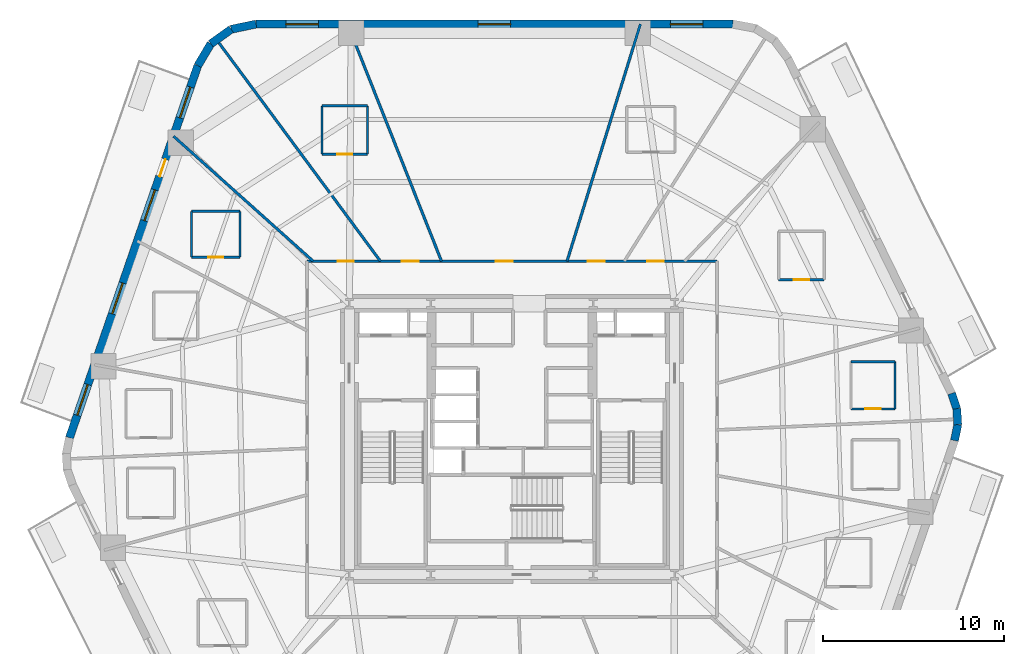
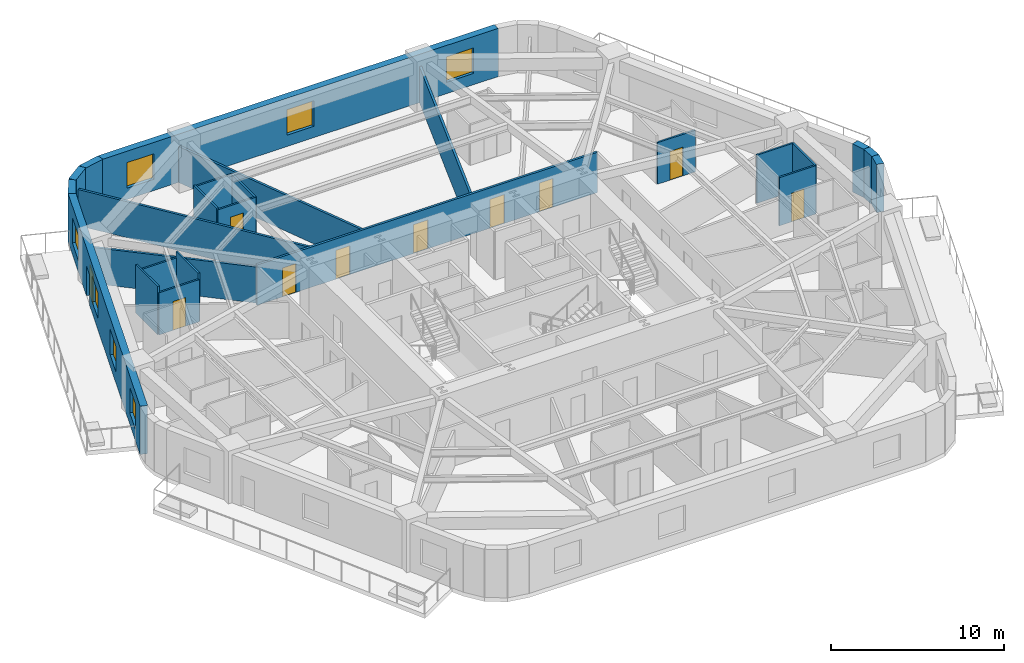
# One storey, part 6 of 10: 25 walls, 10 doors, 7 windows, 17 openings.
"""IFC4 building model written with IfcOpenShell, lengths in metres."""

from ifc_helpers import new_model, si_unit, direction, frame, frame_2d, origin, place, context, subcontext, project, spatial, rectangle, extrude, material, layer, layer_set, type_object, element, fill, save


model = new_model("IFC4")

# Units and contexts
model_context = context("Model", 3, precision=1e-05, world=origin(), true_north=direction((0.0, 1.0)))
body_context = subcontext(model_context, "Body", "Model", "MODEL_VIEW")
ifc_project = project(units=[si_unit("LENGTHUNIT", "METRE"), si_unit("AREAUNIT", "SQUARE_METRE"), si_unit("VOLUMEUNIT", "CUBIC_METRE"), si_unit("PLANEANGLEUNIT", "RADIAN"), si_unit("MASSUNIT", "GRAM", prefix="KILO")], contexts=[model_context])

# Site, building, storey
site_placement = place(None, origin())
site = spatial("IfcSite", under=ifc_project, at=site_placement, CompositionType="ELEMENT")
building_placement = place(site_placement, origin())
building = spatial("IfcBuilding", under=site, at=building_placement, Name="Kilnhurst Terrace Hotel", CompositionType="ELEMENT")
storey_placement = place(building_placement, frame((0.0, 0.0, 45.300048828125)))
storey = spatial("IfcBuildingStorey", under=building, at=storey_placement, Name="L09", CompositionType="ELEMENT", Elevation=45.300048828125)

# Walls
ifc_material_1 = material(Name="Precast concrete C40/50", Category="concrete")
ifc_layer_1 = layer(ifc_material_1, 0.449951171875, Name="Precast concrete C40/50")
ifc_layer_set_1 = layer_set([ifc_layer_1], Name="Precast concrete C40/50")
wall_type_1 = type_object("IfcWallType", Name="WL-BRK-450", PredefinedType="SOLIDWALL", material=ifc_layer_set_1)
wall_1_placement = place(storey_placement, frame((24.49560546875, -0.07666015625, 0.0), z_axis=(0.0, 0.0, 1.0), x_axis=(0.199570594521, 0.979883451132, 0.0)))
element("IfcWall", 1, at=wall_1_placement, inside=storey, type_object=wall_type_1, Name="L09 Rounded Corner Brick Wall C3.1", PredefinedType="SOLIDWALL", context=body_context, shape_type="SweptSolid", body=[
    extrude(rectangle(XDim=0.896728515625, YDim=0.449951171875, at=frame_2d((0.4482421875, 0.0))), origin(), (0.0, 0.0, 1.0), 3.39990234375),
])
wall_2_placement = place(storey_placement, frame((24.674560546875, 0.802001953125, 0.0), z_axis=(0.0, 0.0, 1.0), x_axis=(-0.061188874166, 0.998126205286, 0.0)))
element("IfcWall", 2, at=wall_2_placement, inside=storey, type_object=wall_type_1, Name="L09 Rounded Corner Brick Wall C3.2", PredefinedType="SOLIDWALL", context=body_context, shape_type="SweptSolid", body=[
    extrude(rectangle(XDim=0.8818359375, YDim=0.449951171875, at=frame_2d((0.44091796875, 0.0))), origin(), (0.0, 0.0, 1.0), 3.39990234375),
])
wall_3_placement = place(storey_placement, frame((24.62060546875, 1.68212890625, 0.0), z_axis=(0.0, 0.0, 1.0), x_axis=(-0.317697451681, 0.948192137278, 0.0)))
element("IfcWall", 3, at=wall_3_placement, inside=storey, type_object=wall_type_1, Name="L09 Rounded Corner Brick Wall C3.3", PredefinedType="SOLIDWALL", context=body_context, shape_type="SweptSolid", body=[
    extrude(rectangle(XDim=0.896728515625, YDim=0.449951171875, at=frame_2d((0.4482421875, 0.0))), origin(), (0.0, 0.0, 1.0), 3.39990234375),
])
wall_4_placement = place(storey_placement, frame((-14.168212890625, 22.97509765625, 0.0), z_axis=(0.0, 0.0, 1.0), x_axis=(-0.978770371074, -0.204959900243, 0.0)))
element("IfcWall", 4, at=wall_4_placement, inside=storey, type_object=wall_type_1, Name="L09 Rounded Corner Brick Wall C5.1", PredefinedType="SOLIDWALL", context=body_context, shape_type="SweptSolid", body=[
    extrude(rectangle(XDim=1.405517578125, YDim=0.449951171875, at=frame_2d((0.70263671875, 0.0))), origin(), (0.0, 0.0, 1.0), 3.39990234375),
])
wall_5_placement = place(storey_placement, frame((-15.5439453125, 22.68701171875, 0.0), z_axis=(0.0, 0.0, 1.0), x_axis=(-0.814210854316, -0.580569276412, 0.0)))
element("IfcWall", 5, at=wall_5_placement, inside=storey, type_object=wall_type_1, Name="L09 Rounded Corner Brick Wall C5.2", PredefinedType="SOLIDWALL", context=body_context, shape_type="SweptSolid", body=[
    extrude(rectangle(XDim=1.38134765625, YDim=0.449951171875, at=frame_2d((0.690673828125, 0.0))), origin(), (0.0, 0.0, 1.0), 3.39990234375),
])
wall_6_placement = place(storey_placement, frame((-16.668701171875, 21.885009765625, 0.0), z_axis=(0.0, 0.0, 1.0), x_axis=(-0.512936712947, -0.858426425799, 0.0)))
element("IfcWall", 6, at=wall_6_placement, inside=storey, type_object=wall_type_1, Name="L09 Rounded Corner Brick Wall C5.3", PredefinedType="SOLIDWALL", context=body_context, shape_type="SweptSolid", body=[
    extrude(rectangle(XDim=1.405517578125, YDim=0.449951171875, at=frame_2d((0.70263671875, 0.0))), origin(), (0.0, 0.0, 1.0), 3.39990234375),
])

# Wall, openings, windows
wall_7_placement = place(storey_placement, frame((12.220947265625, 22.97509765625, 0.0), z_axis=(0.0, 0.0, 1.0), x_axis=(-1.0, 0.0, 0.0)))
wall_7 = element("IfcWall", 7, at=wall_7_placement, inside=storey, type_object=wall_type_1, Name="L09 Exterior Brick Facade Wall F4", PredefinedType="SOLIDWALL", context=body_context, shape_type="SweptSolid", body=[
    extrude(rectangle(XDim=26.38916015625, YDim=0.449951171875, at=frame_2d((13.194580078125, 0.0))), origin(), (0.0, 0.0, 1.0), 3.39990234375),
])
opening_1_placement = place(wall_7_placement, frame((1.653076171875, 0.0, 0.800048828125)))
opening_1 = element("IfcOpeningElement", 8, at=opening_1_placement, cuts=wall_7, Name="Opening W-01", PredefinedType="OPENING", context=body_context, shape_type="SweptSolid", body=[
    extrude(rectangle(XDim=1.800048828125, YDim=1.800048828125, at=frame_2d((0.89990234375, 0.89990234375))), frame((0.0, 0.23486328125, 0.0), z_axis=(0.0, -1.0, 0.0), x_axis=(1.0, 0.0, 0.0)), (0.0, 0.0, 1.0), 0.469970703125),
])
opening_2_placement = place(wall_7_placement, frame((12.2958984375, 0.0, 0.800048828125)))
opening_2 = element("IfcOpeningElement", 9, at=opening_2_placement, cuts=wall_7, Name="Opening W-01", PredefinedType="OPENING", context=body_context, shape_type="SweptSolid", body=[
    extrude(rectangle(XDim=1.800048828125, YDim=1.800048828125, at=frame_2d((0.89990234375, 0.89990234375))), frame((0.0, 0.23486328125, 0.0), z_axis=(0.0, -1.0, 0.0), x_axis=(1.0, 0.0, 0.0)), (0.0, 0.0, 1.0), 0.469970703125),
])
opening_3_placement = place(wall_7_placement, frame((22.93798828125, 0.0, 0.800048828125)))
opening_3 = element("IfcOpeningElement", 10, at=opening_3_placement, cuts=wall_7, Name="Opening W-01", PredefinedType="OPENING", context=body_context, shape_type="SweptSolid", body=[
    extrude(rectangle(XDim=1.800048828125, YDim=1.800048828125, at=frame_2d((0.89990234375, 0.89990234375))), frame((0.0, 0.23486328125, 0.0), z_axis=(0.0, -1.0, 0.0), x_axis=(1.0, 0.0, 0.0)), (0.0, 0.0, 1.0), 0.469970703125),
])
ifc_material_2 = material(Name="Thermally Broken Bronze Aluminium Alloy 6063-T6 and Low-E Glass", Category="aluminium")
window_type = type_object("IfcWindowType", Name="WIN-1800X1800", PartitioningType="SINGLE_PANEL", PredefinedType="WINDOW", material=ifc_material_2)
window_1_placement = place(opening_1_placement, origin())
window_1 = element("IfcWindow", 11, at=window_1_placement, inside=storey, type_object=window_type, Name="L09 Deep-Set Masonry Window F4.1", OverallHeight=1.800048828125, OverallWidth=1.800048828125, PartitioningType="SINGLE_PANEL", PredefinedType="WINDOW", context=body_context, shape_type="SweptSolid", body=[
    extrude(rectangle(XDim=1.800048828125, YDim=1.800048828125, at=frame_2d((0.89990234375, 0.89990234375))), frame((0.0, 0.030029296875, 0.0), z_axis=(0.0, -1.0, 0.0), x_axis=(1.0, 0.0, 0.0)), (0.0, 0.0, 1.0), 0.06005859375),
])
fill(opening_1, window_1)
window_2_placement = place(opening_2_placement, origin())
window_2 = element("IfcWindow", 12, at=window_2_placement, inside=storey, type_object=window_type, Name="L09 Deep-Set Masonry Window F4.2", OverallHeight=1.800048828125, OverallWidth=1.800048828125, PartitioningType="SINGLE_PANEL", PredefinedType="WINDOW", context=body_context, shape_type="SweptSolid", body=[
    extrude(rectangle(XDim=1.800048828125, YDim=1.800048828125, at=frame_2d((0.89990234375, 0.89990234375))), frame((0.0, 0.030029296875, 0.0), z_axis=(0.0, -1.0, 0.0), x_axis=(1.0, 0.0, 0.0)), (0.0, 0.0, 1.0), 0.06005859375),
])
fill(opening_2, window_2)
window_3_placement = place(opening_3_placement, origin())
window_3 = element("IfcWindow", 13, at=window_3_placement, inside=storey, type_object=window_type, Name="L09 Deep-Set Masonry Window F4.3", OverallHeight=1.800048828125, OverallWidth=1.800048828125, PartitioningType="SINGLE_PANEL", PredefinedType="WINDOW", context=body_context, shape_type="SweptSolid", body=[
    extrude(rectangle(XDim=1.800048828125, YDim=1.800048828125, at=frame_2d((0.89990234375, 0.89990234375))), frame((0.0, 0.030029296875, 0.0), z_axis=(0.0, -1.0, 0.0), x_axis=(1.0, 0.0, 0.0)), (0.0, 0.0, 1.0), 0.06005859375),
])
fill(opening_3, window_3)

# Wall, openings, door, windows
wall_8_placement = place(storey_placement, frame((-17.3896484375, 20.678466796875, 0.0), z_axis=(0.0, 0.0, 1.0), x_axis=(-0.326068018294, -0.945346310854, 0.0)))
wall_8 = element("IfcWall", 14, at=wall_8_placement, inside=storey, type_object=wall_type_1, Name="L09 Exterior Brick Facade Wall F5", PredefinedType="SOLIDWALL", context=body_context, shape_type="SweptSolid", body=[
    extrude(rectangle(XDim=21.79296875, YDim=0.449951171875, at=frame_2d((10.896484375, 0.0))), origin(), (0.0, 0.0, 1.0), 3.39990234375),
])
opening_4_placement = place(wall_8_placement, frame((5.492919921875, 0.0, 0.0)))
opening_4 = element("IfcOpeningElement", 15, at=opening_4_placement, cuts=wall_8, Name="Opening BD-1000", PredefinedType="OPENING", context=body_context, shape_type="SweptSolid", body=[
    extrude(rectangle(XDim=1.0, YDim=2.14990234375, at=frame_2d((0.5, 1.074951171875))), frame((0.0, 0.23486328125, 0.0), z_axis=(0.0, -1.0, 0.0), x_axis=(1.0, 0.0, 0.0)), (0.0, 0.0, 1.0), 0.469970703125),
])
opening_5_placement = place(wall_8_placement, frame((1.260009765625, 0.0, 0.800048828125)))
opening_5 = element("IfcOpeningElement", 16, at=opening_5_placement, cuts=wall_8, Name="Opening W-01", PredefinedType="OPENING", context=body_context, shape_type="SweptSolid", body=[
    extrude(rectangle(XDim=1.800048828125, YDim=1.800048828125, at=frame_2d((0.89990234375, 0.89990234375))), frame((0.0, 0.23486328125, 0.0), z_axis=(0.0, -1.0, 0.0), x_axis=(1.0, 0.0, 0.0)), (0.0, 0.0, 1.0), 0.469970703125),
])
opening_6_placement = place(wall_8_placement, frame((7.282958984375, 0.0, 0.800048828125)))
opening_6 = element("IfcOpeningElement", 17, at=opening_6_placement, cuts=wall_8, Name="Opening W-01", PredefinedType="OPENING", context=body_context, shape_type="SweptSolid", body=[
    extrude(rectangle(XDim=1.800048828125, YDim=1.800048828125, at=frame_2d((0.89990234375, 0.89990234375))), frame((0.0, 0.23486328125, 0.0), z_axis=(0.0, -1.0, 0.0), x_axis=(1.0, 0.0, 0.0)), (0.0, 0.0, 1.0), 0.469970703125),
])
opening_7_placement = place(wall_8_placement, frame((12.736083984375, 0.0, 0.800048828125)))
opening_7 = element("IfcOpeningElement", 18, at=opening_7_placement, cuts=wall_8, Name="Opening W-01", PredefinedType="OPENING", context=body_context, shape_type="SweptSolid", body=[
    extrude(rectangle(XDim=1.800048828125, YDim=1.800048828125, at=frame_2d((0.89990234375, 0.89990234375))), frame((0.0, 0.23486328125, 0.0), z_axis=(0.0, -1.0, 0.0), x_axis=(1.0, 0.0, 0.0)), (0.0, 0.0, 1.0), 0.469970703125),
])
opening_8_placement = place(wall_8_placement, frame((18.679931640625, 0.0, 0.800048828125)))
opening_8 = element("IfcOpeningElement", 19, at=opening_8_placement, cuts=wall_8, Name="Opening W-01", PredefinedType="OPENING", context=body_context, shape_type="SweptSolid", body=[
    extrude(rectangle(XDim=1.800048828125, YDim=1.800048828125, at=frame_2d((0.89990234375, 0.89990234375))), frame((0.0, 0.23486328125, 0.0), z_axis=(0.0, -1.0, 0.0), x_axis=(1.0, 0.0, 0.0)), (0.0, 0.0, 1.0), 0.469970703125),
])
ifc_material_3 = material(Name="Thermally Broken Bronze Aluminium Alloy 6063-T6 and Laminated Glass", Category="aluminium")
door_type_1 = type_object("IfcDoorType", Name="DR-EXT-BAL-1000", OperationType="NOTDEFINED", PredefinedType="DOOR", material=ifc_material_3)
door_1_placement = place(opening_4_placement, origin())
door_1 = element("IfcDoor", 20, at=door_1_placement, inside=storey, type_object=door_type_1, Name="L09 Planted Balcony Door BAL-L2A", OperationType="SINGLE_SWING_LEFT", OverallHeight=2.14990234375, OverallWidth=1.0, PredefinedType="DOOR", context=body_context, shape_type="SweptSolid", body=[
    extrude(rectangle(XDim=1.0, YDim=2.14990234375, at=frame_2d((0.5, 1.074951171875))), frame((0.0, 0.02490234375, 0.0), z_axis=(0.0, -1.0, 0.0), x_axis=(1.0, 0.0, 0.0)), (0.0, 0.0, 1.0), 0.050048828125),
])
fill(opening_4, door_1)
window_4_placement = place(opening_5_placement, origin())
window_4 = element("IfcWindow", 21, at=window_4_placement, inside=storey, type_object=window_type, Name="L09 Deep-Set Masonry Window F5.1", OverallHeight=1.800048828125, OverallWidth=1.800048828125, PartitioningType="SINGLE_PANEL", PredefinedType="WINDOW", context=body_context, shape_type="SweptSolid", body=[
    extrude(rectangle(XDim=1.800048828125, YDim=1.800048828125, at=frame_2d((0.89990234375, 0.89990234375))), frame((0.0, 0.030029296875, 0.0), z_axis=(0.0, -1.0, 0.0), x_axis=(1.0, 0.0, 0.0)), (0.0, 0.0, 1.0), 0.06005859375),
])
fill(opening_5, window_4)
window_5_placement = place(opening_6_placement, origin())
window_5 = element("IfcWindow", 22, at=window_5_placement, inside=storey, type_object=window_type, Name="L09 Deep-Set Masonry Window F5.2", OverallHeight=1.800048828125, OverallWidth=1.800048828125, PartitioningType="SINGLE_PANEL", PredefinedType="WINDOW", context=body_context, shape_type="SweptSolid", body=[
    extrude(rectangle(XDim=1.800048828125, YDim=1.800048828125, at=frame_2d((0.89990234375, 0.89990234375))), frame((0.0, 0.030029296875, 0.0), z_axis=(0.0, -1.0, 0.0), x_axis=(1.0, 0.0, 0.0)), (0.0, 0.0, 1.0), 0.06005859375),
])
fill(opening_6, window_5)
window_6_placement = place(opening_7_placement, origin())
window_6 = element("IfcWindow", 23, at=window_6_placement, inside=storey, type_object=window_type, Name="L09 Deep-Set Masonry Window F5.3", OverallHeight=1.800048828125, OverallWidth=1.800048828125, PartitioningType="SINGLE_PANEL", PredefinedType="WINDOW", context=body_context, shape_type="SweptSolid", body=[
    extrude(rectangle(XDim=1.800048828125, YDim=1.800048828125, at=frame_2d((0.89990234375, 0.89990234375))), frame((0.0, 0.030029296875, 0.0), z_axis=(0.0, -1.0, 0.0), x_axis=(1.0, 0.0, 0.0)), (0.0, 0.0, 1.0), 0.06005859375),
])
fill(opening_7, window_6)
window_7_placement = place(opening_8_placement, origin())
window_7 = element("IfcWindow", 24, at=window_7_placement, inside=storey, type_object=window_type, Name="L09 Deep-Set Masonry Window F5.4", OverallHeight=1.800048828125, OverallWidth=1.800048828125, PartitioningType="SINGLE_PANEL", PredefinedType="WINDOW", context=body_context, shape_type="SweptSolid", body=[
    extrude(rectangle(XDim=1.800048828125, YDim=1.800048828125, at=frame_2d((0.89990234375, 0.89990234375))), frame((0.0, 0.030029296875, 0.0), z_axis=(0.0, -1.0, 0.0), x_axis=(1.0, 0.0, 0.0)), (0.0, 0.0, 1.0), 0.06005859375),
])
fill(opening_8, window_7)

# Wall, openings, doors
ifc_material_4 = material(Name="Acoustic Double-Gypsum Corridor Partition Assembly")
ifc_layer_2 = layer(ifc_material_4, 0.14990234375, Name="Acoustic Double-Gypsum Corridor Partition Assembly")
ifc_layer_set_2 = layer_set([ifc_layer_2], Name="Acoustic Double-Gypsum Corridor Partition Assembly")
wall_type_2 = type_object("IfcWallType", Name="WL-COR-150", PredefinedType="PARTITIONING", material=ifc_layer_set_2)
wall_9_placement = place(storey_placement, frame((-11.35009765625, 9.85009765625, 0.0), z_axis=(0.0, 0.0, 1.0), x_axis=(1.0, 0.0, 0.0)))
wall_9 = element("IfcWall", 25, at=wall_9_placement, inside=storey, type_object=wall_type_2, Name="L09 Interior Wall WL-L09-COR-02", PredefinedType="PARTITIONING", context=body_context, shape_type="SweptSolid", body=[
    extrude(rectangle(XDim=22.7001953125, YDim=0.14990234375, at=frame_2d((11.35009765625, 0.0))), origin(), (0.0, 0.0, 1.0), 2.83984375),
])
opening_9_placement = place(wall_9_placement, frame((18.8369140625, 0.0, 0.0)))
opening_9 = element("IfcOpeningElement", 26, at=opening_9_placement, cuts=wall_9, Name="Opening D-60C", PredefinedType="OPENING", context=body_context, shape_type="SweptSolid", body=[
    extrude(rectangle(XDim=0.89990234375, YDim=2.030029296875, at=frame_2d((0.449951171875, 1.01513671875))), frame((0.0, 0.0849609375, 0.0), z_axis=(0.0, -1.0, 0.0), x_axis=(1.0, 0.0, 0.0)), (0.0, 0.0, 1.0), 0.169921875),
])
opening_10_placement = place(wall_9_placement, frame((15.531982421875, 0.0, 0.0)))
opening_10 = element("IfcOpeningElement", 27, at=opening_10_placement, cuts=wall_9, Name="Opening D-60B", PredefinedType="OPENING", context=body_context, shape_type="SweptSolid", body=[
    extrude(rectangle(XDim=0.949951171875, YDim=2.030029296875, at=frame_2d((0.47509765625, 1.01513671875))), frame((0.0, 0.0849609375, 0.0), z_axis=(0.0, -1.0, 0.0), x_axis=(1.0, 0.0, 0.0)), (0.0, 0.0, 1.0), 0.169921875),
])
opening_11_placement = place(wall_9_placement, frame((10.444091796875, 0.0, 0.0)))
opening_11 = element("IfcOpeningElement", 28, at=opening_11_placement, cuts=wall_9, Name="Opening D-60B", PredefinedType="OPENING", context=body_context, shape_type="SweptSolid", body=[
    extrude(rectangle(XDim=0.949951171875, YDim=2.030029296875, at=frame_2d((0.47509765625, 1.01513671875))), frame((0.0, 0.0849609375, 0.0), z_axis=(0.0, -1.0, 0.0), x_axis=(1.0, 0.0, 0.0)), (0.0, 0.0, 1.0), 0.169921875),
])
opening_12_placement = place(wall_9_placement, frame((5.251953125, 0.0, 0.0)))
opening_12 = element("IfcOpeningElement", 29, at=opening_12_placement, cuts=wall_9, Name="Opening D-60B", PredefinedType="OPENING", context=body_context, shape_type="SweptSolid", body=[
    extrude(rectangle(XDim=0.949951171875, YDim=2.030029296875, at=frame_2d((0.47509765625, 1.01513671875))), frame((0.0, 0.0849609375, 0.0), z_axis=(0.0, -1.0, 0.0), x_axis=(1.0, 0.0, 0.0)), (0.0, 0.0, 1.0), 0.169921875),
])
opening_13_placement = place(wall_9_placement, frame((1.701904296875, 0.0, 0.0)))
opening_13 = element("IfcOpeningElement", 30, at=opening_13_placement, cuts=wall_9, Name="Opening D-60C", PredefinedType="OPENING", context=body_context, shape_type="SweptSolid", body=[
    extrude(rectangle(XDim=0.89990234375, YDim=2.030029296875, at=frame_2d((0.449951171875, 1.01513671875))), frame((0.0, 0.0849609375, 0.0), z_axis=(0.0, -1.0, 0.0), x_axis=(1.0, 0.0, 0.0)), (0.0, 0.0, 1.0), 0.169921875),
])
ifc_material_5 = material(Name="Painted Solid-Core Service Fire Door")
door_type_2 = type_object("IfcDoorType", Name="DR-FD60-900", OperationType="NOTDEFINED", PredefinedType="DOOR", material=ifc_material_5)
door_2_placement = place(opening_9_placement, origin())
door_2 = element("IfcDoor", 31, at=door_2_placement, inside=storey, type_object=door_type_2, Name="L09 Executive Work Office Door 3", OperationType="SINGLE_SWING_LEFT", OverallHeight=2.030029296875, OverallWidth=0.89990234375, PredefinedType="DOOR", context=body_context, shape_type="SweptSolid", body=[
    extrude(rectangle(XDim=0.89990234375, YDim=2.030029296875, at=frame_2d((0.449951171875, 1.01513671875))), frame((0.0, 0.02490234375, 0.0), z_axis=(0.0, -1.0, 0.0), x_axis=(1.0, 0.0, 0.0)), (0.0, 0.0, 1.0), 0.050048828125),
])
fill(opening_9, door_2)
door_3_placement = place(opening_13_placement, origin())
door_3 = element("IfcDoor", 32, at=door_3_placement, inside=storey, type_object=door_type_2, Name="L09 Executive Work Office Door 7", OperationType="SINGLE_SWING_LEFT", OverallHeight=2.030029296875, OverallWidth=0.89990234375, PredefinedType="DOOR", context=body_context, shape_type="SweptSolid", body=[
    extrude(rectangle(XDim=0.89990234375, YDim=2.030029296875, at=frame_2d((0.449951171875, 1.01513671875))), frame((0.0, 0.02490234375, 0.0), z_axis=(0.0, -1.0, 0.0), x_axis=(1.0, 0.0, 0.0)), (0.0, 0.0, 1.0), 0.050048828125),
])
fill(opening_13, door_3)
ifc_material_6 = material(Name="Acoustic Walnut Veneer Solid-Core Fire Door")
door_type_3 = type_object("IfcDoorType", Name="DR-FD60-950", OperationType="NOTDEFINED", PredefinedType="DOOR", material=ifc_material_6)
door_4_placement = place(opening_10_placement, origin())
door_4 = element("IfcDoor", 33, at=door_4_placement, inside=storey, type_object=door_type_3, Name="L09 Guest Room Entry Door 4", OperationType="SINGLE_SWING_RIGHT", OverallHeight=2.030029296875, OverallWidth=0.949951171875, PredefinedType="DOOR", context=body_context, shape_type="SweptSolid", body=[
    extrude(rectangle(XDim=0.949951171875, YDim=2.030029296875, at=frame_2d((0.47509765625, 1.01513671875))), frame((0.0, 0.02490234375, 0.0), z_axis=(0.0, -1.0, 0.0), x_axis=(1.0, 0.0, 0.0)), (0.0, 0.0, 1.0), 0.050048828125),
])
fill(opening_10, door_4)
door_5_placement = place(opening_11_placement, origin())
door_5 = element("IfcDoor", 34, at=door_5_placement, inside=storey, type_object=door_type_3, Name="L09 Executive Boardroom Door", OperationType="SINGLE_SWING_LEFT", OverallHeight=2.030029296875, OverallWidth=0.949951171875, PredefinedType="DOOR", context=body_context, shape_type="SweptSolid", body=[
    extrude(rectangle(XDim=0.949951171875, YDim=2.030029296875, at=frame_2d((0.47509765625, 1.01513671875))), frame((0.0, 0.02490234375, 0.0), z_axis=(0.0, -1.0, 0.0), x_axis=(1.0, 0.0, 0.0)), (0.0, 0.0, 1.0), 0.050048828125),
])
fill(opening_11, door_5)
door_6_placement = place(opening_12_placement, origin())
door_6 = element("IfcDoor", 35, at=door_6_placement, inside=storey, type_object=door_type_3, Name="L09 Guest Room Entry Door 6", OperationType="SINGLE_SWING_RIGHT", OverallHeight=2.030029296875, OverallWidth=0.949951171875, PredefinedType="DOOR", context=body_context, shape_type="SweptSolid", body=[
    extrude(rectangle(XDim=0.949951171875, YDim=2.030029296875, at=frame_2d((0.47509765625, 1.01513671875))), frame((0.0, 0.02490234375, 0.0), z_axis=(0.0, -1.0, 0.0), x_axis=(1.0, 0.0, 0.0)), (0.0, 0.0, 1.0), 0.050048828125),
])
fill(opening_12, door_6)

# Walls
ifc_material_7 = material(Name="STC-58 Acoustic Twin-Frame Guestroom Demising Partition")
ifc_layer_3 = layer(ifc_material_7, 0.14990234375, Name="STC-58 Acoustic Twin-Frame Guestroom Demising Partition")
ifc_layer_set_3 = layer_set([ifc_layer_3], Name="STC-58 Acoustic Twin-Frame Guestroom Demising Partition")
wall_type_3 = type_object("IfcWallType", Name="WL-DEM-150", PredefinedType="PARTITIONING", material=ifc_layer_set_3)
wall_10_placement = place(storey_placement, frame((3.047607421875, 9.85009765625, 0.0), z_axis=(0.0, 0.0, 1.0), x_axis=(0.295553992761, 0.955326037206, 0.0)))
element("IfcWall", 36, at=wall_10_placement, inside=storey, type_object=wall_type_3, Name="L09 Interior Wall WL-L09-DEM-COL03-05-1", PredefinedType="PARTITIONING", context=body_context, shape_type="SweptSolid", body=[
    extrude(rectangle(XDim=13.73876953125, YDim=0.14990234375, at=frame_2d((6.869384765625, 0.0))), origin(), (0.0, 0.0, 1.0), 2.5400390625),
])
wall_11_placement = place(storey_placement, frame((-3.90185546875, 9.85009765625, 0.0), z_axis=(0.0, 0.0, 1.0), x_axis=(-0.36828765711, 0.929711891728, 0.0)))
element("IfcWall", 37, at=wall_11_placement, inside=storey, type_object=wall_type_3, Name="L09 Interior Wall WL-L09-DEM-COL04-06-1", PredefinedType="PARTITIONING", context=body_context, shape_type="SweptSolid", body=[
    extrude(rectangle(XDim=14.1171875, YDim=0.14990234375, at=frame_2d((7.05859375, 0.0))), origin(), (0.0, 0.0, 1.0), 2.5400390625),
])
wall_12_placement = place(storey_placement, frame((-7.284912109375, 9.85009765625, 0.0), z_axis=(0.0, 0.0, 1.0), x_axis=(-0.594630332275, 0.803999233792, 0.0)))
element("IfcWall", 38, at=wall_12_placement, inside=storey, type_object=wall_type_3, Name="L09 Interior Wall WL-L09-DEM-MID04-07-1", PredefinedType="PARTITIONING", context=body_context, shape_type="SweptSolid", body=[
    extrude(rectangle(XDim=15.089111328125, YDim=0.14990234375, at=frame_2d((7.54443359375, 0.0))), origin(), (0.0, 0.0, 1.0), 2.5400390625),
])
wall_13_placement = place(storey_placement, frame((-11.006591796875, 9.85009765625, 0.0), z_axis=(0.0, 0.0, 1.0), x_axis=(-0.745177305978, 0.666866390407, 0.0)))
element("IfcWall", 39, at=wall_13_placement, inside=storey, type_object=wall_type_3, Name="L09 Interior Wall WL-L09-DEM-COL05-08-1", PredefinedType="PARTITIONING", context=body_context, shape_type="SweptSolid", body=[
    extrude(rectangle(XDim=10.375244140625, YDim=0.14990234375, at=frame_2d((5.1875, 0.0))), origin(), (0.0, 0.0, 1.0), 2.5400390625),
])

# Wall, opening, door
ifc_material_8 = material(Name="120 mm Moisture-Resistant Tile-Backed Bathroom Partition")
ifc_layer_4 = layer(ifc_material_8, 0.1201171875, Name="120 mm Moisture-Resistant Tile-Backed Bathroom Partition")
ifc_layer_set_4 = layer_set([ifc_layer_4], Name="120 mm Moisture-Resistant Tile-Backed Bathroom Partition")
wall_type_4 = type_object("IfcWallType", Name="WL-PART-120", PredefinedType="PARTITIONING", material=ifc_layer_set_4)
wall_14_placement = place(storey_placement, frame((18.760009765625, 1.676025390625, 0.0), z_axis=(0.0, 0.0, 1.0), x_axis=(1.0, 0.0, 0.0)))
wall_14 = element("IfcWall", 40, at=wall_14_placement, inside=storey, type_object=wall_type_4, Name="L09 Interior Wall WL-L09-BTH-01-1", PredefinedType="PARTITIONING", context=body_context, shape_type="SweptSolid", body=[
    extrude(rectangle(XDim=2.43994140625, YDim=0.1201171875, at=frame_2d((1.219970703125, 0.0))), origin(), (0.0, 0.0, 1.0), 3.39990234375),
])
opening_14_placement = place(wall_14_placement, frame((0.794921875, 0.0, 0.0)))
opening_14 = element("IfcOpeningElement", 41, at=opening_14_placement, cuts=wall_14, Name="Opening D-08A", PredefinedType="OPENING", context=body_context, shape_type="SweptSolid", body=[
    extrude(rectangle(XDim=0.85009765625, YDim=2.030029296875, at=frame_2d((0.425048828125, 1.01513671875))), frame((0.0, 0.070068359375, 0.0), z_axis=(0.0, -1.0, 0.0), x_axis=(1.0, 0.0, 0.0)), (0.0, 0.0, 1.0), 0.14013671875),
])
ifc_material_9 = material(Name="Moisture-Resistant Lacquered En-suite Bathroom Door")
door_type_4 = type_object("IfcDoorType", Name="DR-INT-850", OperationType="NOTDEFINED", PredefinedType="DOOR", material=ifc_material_9)
door_7_placement = place(opening_14_placement, origin())
door_7 = element("IfcDoor", 42, at=door_7_placement, inside=storey, type_object=door_type_4, Name="L09 En-suite Bathroom Door 1", OperationType="SINGLE_SWING_RIGHT", OverallHeight=2.030029296875, OverallWidth=0.85009765625, PredefinedType="DOOR", context=body_context, shape_type="SweptSolid", body=[
    extrude(rectangle(XDim=0.85009765625, YDim=2.030029296875, at=frame_2d((0.425048828125, 1.01513671875))), frame((0.0, 0.02490234375, 0.0), z_axis=(0.0, -1.0, 0.0), x_axis=(1.0, 0.0, 0.0)), (0.0, 0.0, 1.0), 0.050048828125),
])
fill(opening_14, door_7)

# Walls
wall_15_placement = place(storey_placement, frame((21.199951171875, 1.676025390625, 0.0), z_axis=(0.0, 0.0, 1.0), x_axis=(0.0, 1.0, 0.0)))
element("IfcWall", 43, at=wall_15_placement, inside=storey, type_object=wall_type_4, Name="L09 Interior Wall WL-L09-BTH-01-2", PredefinedType="PARTITIONING", context=body_context, shape_type="SweptSolid", body=[
    extrude(rectangle(XDim=2.60986328125, YDim=0.1201171875, at=frame_2d((1.304931640625, 0.0))), origin(), (0.0, 0.0, 1.0), 3.39990234375),
])
wall_16_placement = place(storey_placement, frame((21.199951171875, 4.285888671875, 0.0), z_axis=(0.0, 0.0, 1.0), x_axis=(-1.0, 0.0, 0.0)))
element("IfcWall", 44, at=wall_16_placement, inside=storey, type_object=wall_type_4, Name="L09 Interior Wall WL-L09-BTH-01-3", PredefinedType="PARTITIONING", context=body_context, shape_type="SweptSolid", body=[
    extrude(rectangle(XDim=2.43994140625, YDim=0.1201171875, at=frame_2d((1.219970703125, 0.0))), origin(), (0.0, 0.0, 1.0), 3.39990234375),
])

# Wall, opening, door
wall_17_placement = place(storey_placement, frame((14.763916015625, 8.824951171875, 0.0), z_axis=(0.0, 0.0, 1.0), x_axis=(1.0, 0.0, 0.0)))
wall_17 = element("IfcWall", 45, at=wall_17_placement, inside=storey, type_object=wall_type_4, Name="L09 Interior Wall WL-L09-BTH-02-1", PredefinedType="PARTITIONING", context=body_context, shape_type="SweptSolid", body=[
    extrude(rectangle(XDim=2.52001953125, YDim=0.1201171875, at=frame_2d((1.260009765625, 0.0))), origin(), (0.0, 0.0, 1.0), 2.926513671875),
])
opening_15_placement = place(wall_17_placement, frame((0.8349609375, 0.0, 0.0)))
opening_15 = element("IfcOpeningElement", 46, at=opening_15_placement, cuts=wall_17, Name="Opening D-08A", PredefinedType="OPENING", context=body_context, shape_type="SweptSolid", body=[
    extrude(rectangle(XDim=0.85009765625, YDim=2.030029296875, at=frame_2d((0.425048828125, 1.01513671875))), frame((0.0, 0.070068359375, 0.0), z_axis=(0.0, -1.0, 0.0), x_axis=(1.0, 0.0, 0.0)), (0.0, 0.0, 1.0), 0.14013671875),
])
door_8_placement = place(opening_15_placement, origin())
door_8 = element("IfcDoor", 47, at=door_8_placement, inside=storey, type_object=door_type_4, Name="L09 En-suite Bathroom Door 2", OperationType="SINGLE_SWING_LEFT", OverallHeight=2.030029296875, OverallWidth=0.85009765625, PredefinedType="DOOR", context=body_context, shape_type="SweptSolid", body=[
    extrude(rectangle(XDim=0.85009765625, YDim=2.030029296875, at=frame_2d((0.425048828125, 1.01513671875))), frame((0.0, 0.02490234375, 0.0), z_axis=(0.0, -1.0, 0.0), x_axis=(1.0, 0.0, 0.0)), (0.0, 0.0, 1.0), 0.050048828125),
])
fill(opening_15, door_8)

wall_18_placement = place(storey_placement, frame((-10.51904296875, 15.77001953125, 0.0), z_axis=(0.0, 0.0, 1.0), x_axis=(1.0, 0.0, 0.0)))
wall_18 = element("IfcWall", 48, at=wall_18_placement, inside=storey, type_object=wall_type_4, Name="L09 Interior Wall WL-L09-BTH-06-1", PredefinedType="PARTITIONING", context=body_context, shape_type="SweptSolid", body=[
    extrude(rectangle(XDim=2.52001953125, YDim=0.1201171875, at=frame_2d((1.260009765625, 0.0))), origin(), (0.0, 0.0, 1.0), 2.83984375),
])
opening_16_placement = place(wall_18_placement, frame((0.8349609375, 0.0, 0.0)))
opening_16 = element("IfcOpeningElement", 49, at=opening_16_placement, cuts=wall_18, Name="Opening D-08A", PredefinedType="OPENING", context=body_context, shape_type="SweptSolid", body=[
    extrude(rectangle(XDim=0.85009765625, YDim=2.030029296875, at=frame_2d((0.425048828125, 1.01513671875))), frame((0.0, 0.070068359375, 0.0), z_axis=(0.0, -1.0, 0.0), x_axis=(1.0, 0.0, 0.0)), (0.0, 0.0, 1.0), 0.14013671875),
])
door_9_placement = place(opening_16_placement, origin())
door_9 = element("IfcDoor", 50, at=door_9_placement, inside=storey, type_object=door_type_4, Name="L09 En-suite Bathroom Door 6", OperationType="SINGLE_SWING_LEFT", OverallHeight=2.030029296875, OverallWidth=0.85009765625, PredefinedType="DOOR", context=body_context, shape_type="SweptSolid", body=[
    extrude(rectangle(XDim=0.85009765625, YDim=2.030029296875, at=frame_2d((0.425048828125, 1.01513671875))), frame((0.0, 0.02490234375, 0.0), z_axis=(0.0, -1.0, 0.0), x_axis=(1.0, 0.0, 0.0)), (0.0, 0.0, 1.0), 0.050048828125),
])
fill(opening_16, door_9)

# Walls
wall_19_placement = place(storey_placement, frame((-7.9990234375, 15.77001953125, 0.0), z_axis=(0.0, 0.0, 1.0), x_axis=(0.0, 1.0, 0.0)))
element("IfcWall", 51, at=wall_19_placement, inside=storey, type_object=wall_type_4, Name="L09 Interior Wall WL-L09-BTH-06-2", PredefinedType="PARTITIONING", context=body_context, shape_type="SweptSolid", body=[
    extrude(rectangle(XDim=2.679931640625, YDim=0.1201171875, at=frame_2d((1.33984375, 0.0))), origin(), (0.0, 0.0, 1.0), 2.84033203125),
])
wall_20_placement = place(storey_placement, frame((-7.9990234375, 18.449951171875, 0.0), z_axis=(0.0, 0.0, 1.0), x_axis=(-1.0, 0.0, 0.0)))
element("IfcWall", 52, at=wall_20_placement, inside=storey, type_object=wall_type_4, Name="L09 Interior Wall WL-L09-BTH-06-3", PredefinedType="PARTITIONING", context=body_context, shape_type="SweptSolid", body=[
    extrude(rectangle(XDim=2.52001953125, YDim=0.1201171875, at=frame_2d((1.260009765625, 0.0))), origin(), (0.0, 0.0, 1.0), 2.83984375),
])
wall_21_placement = place(storey_placement, frame((-10.51904296875, 18.449951171875, 0.0), z_axis=(0.0, 0.0, 1.0), x_axis=(0.0, -1.0, 0.0)))
element("IfcWall", 53, at=wall_21_placement, inside=storey, type_object=wall_type_4, Name="L09 Interior Wall WL-L09-BTH-06-4", PredefinedType="PARTITIONING", context=body_context, shape_type="SweptSolid", body=[
    extrude(rectangle(XDim=2.679931640625, YDim=0.1201171875, at=frame_2d((1.33984375, 0.0))), origin(), (0.0, 0.0, 1.0), 2.926513671875),
])

# Wall, opening, door
wall_22_placement = place(storey_placement, frame((-17.738037109375, 10.072021484375, 0.0), z_axis=(0.0, 0.0, 1.0), x_axis=(1.0, 0.0, 0.0)))
wall_22 = element("IfcWall", 54, at=wall_22_placement, inside=storey, type_object=wall_type_4, Name="L09 Interior Wall WL-L09-BTH-08-1", PredefinedType="PARTITIONING", context=body_context, shape_type="SweptSolid", body=[
    extrude(rectangle(XDim=2.679931640625, YDim=0.1201171875, at=frame_2d((1.33984375, 0.0))), origin(), (0.0, 0.0, 1.0), 2.972412109375),
])
opening_17_placement = place(wall_22_placement, frame((0.9150390625, 0.0, 0.0)))
opening_17 = element("IfcOpeningElement", 55, at=opening_17_placement, cuts=wall_22, Name="Opening D-08A", PredefinedType="OPENING", context=body_context, shape_type="SweptSolid", body=[
    extrude(rectangle(XDim=0.85009765625, YDim=2.030029296875, at=frame_2d((0.425048828125, 1.01513671875))), frame((0.0, 0.070068359375, 0.0), z_axis=(0.0, -1.0, 0.0), x_axis=(1.0, 0.0, 0.0)), (0.0, 0.0, 1.0), 0.14013671875),
])
door_10_placement = place(opening_17_placement, origin())
door_10 = element("IfcDoor", 56, at=door_10_placement, inside=storey, type_object=door_type_4, Name="L09 En-suite Bathroom Door 8", OperationType="SINGLE_SWING_LEFT", OverallHeight=2.030029296875, OverallWidth=0.85009765625, PredefinedType="DOOR", context=body_context, shape_type="SweptSolid", body=[
    extrude(rectangle(XDim=0.85009765625, YDim=2.030029296875, at=frame_2d((0.425048828125, 1.01513671875))), frame((0.0, 0.02490234375, 0.0), z_axis=(0.0, -1.0, 0.0), x_axis=(1.0, 0.0, 0.0)), (0.0, 0.0, 1.0), 0.050048828125),
])
fill(opening_17, door_10)

# Walls
wall_23_placement = place(storey_placement, frame((-15.05810546875, 10.072021484375, 0.0), z_axis=(0.0, 0.0, 1.0), x_axis=(0.0, 1.0, 0.0)))
element("IfcWall", 57, at=wall_23_placement, inside=storey, type_object=wall_type_4, Name="L09 Interior Wall WL-L09-BTH-08-2", PredefinedType="PARTITIONING", context=body_context, shape_type="SweptSolid", body=[
    extrude(rectangle(XDim=2.5400390625, YDim=0.1201171875, at=frame_2d((1.27001953125, 0.0))), origin(), (0.0, 0.0, 1.0), 3.39990234375),
])
wall_24_placement = place(storey_placement, frame((-15.05810546875, 12.612060546875, 0.0), z_axis=(0.0, 0.0, 1.0), x_axis=(-1.0, 0.0, 0.0)))
element("IfcWall", 58, at=wall_24_placement, inside=storey, type_object=wall_type_4, Name="L09 Interior Wall WL-L09-BTH-08-3", PredefinedType="PARTITIONING", context=body_context, shape_type="SweptSolid", body=[
    extrude(rectangle(XDim=2.679931640625, YDim=0.1201171875, at=frame_2d((1.33984375, 0.0))), origin(), (0.0, 0.0, 1.0), 2.972412109375),
])
wall_25_placement = place(storey_placement, frame((-17.738037109375, 12.612060546875, 0.0), z_axis=(0.0, 0.0, 1.0), x_axis=(0.0, -1.0, 0.0)))
element("IfcWall", 59, at=wall_25_placement, inside=storey, type_object=wall_type_4, Name="L09 Interior Wall WL-L09-BTH-08-4", PredefinedType="PARTITIONING", context=body_context, shape_type="SweptSolid", body=[
    extrude(rectangle(XDim=2.5400390625, YDim=0.1201171875, at=frame_2d((1.27001953125, 0.0))), origin(), (0.0, 0.0, 1.0), 3.39990234375),
])

save(model, "model.ifc")
